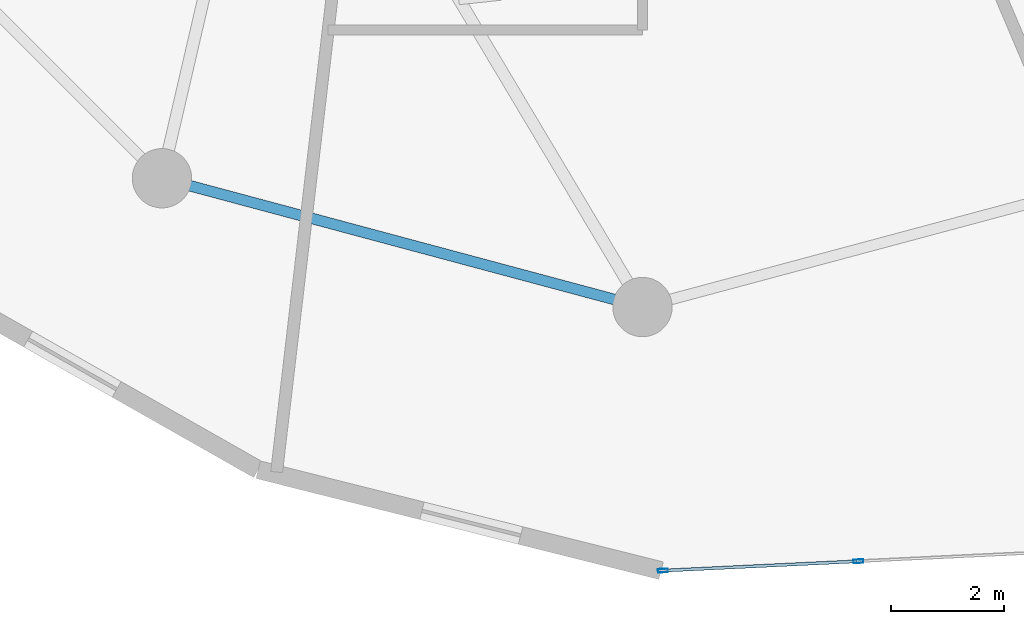
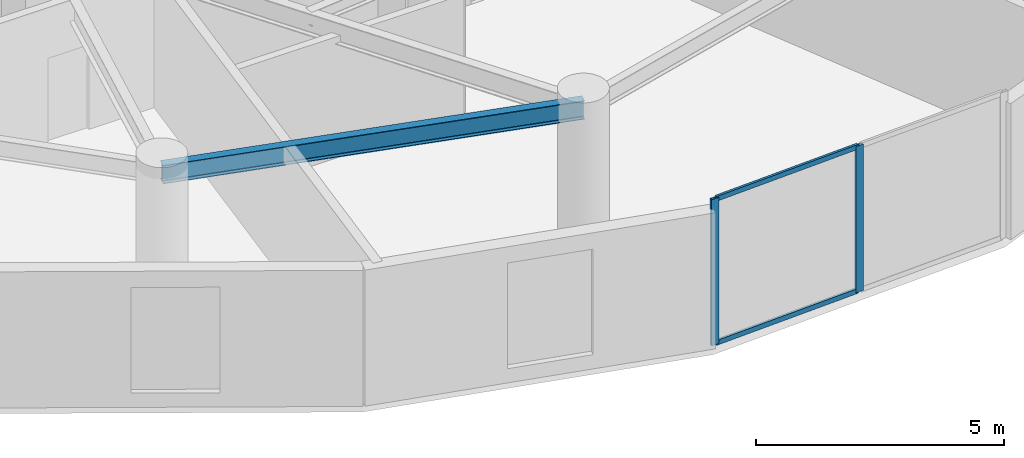
# One storey, part 3 of 25: 4 members, 1 beam, 1 element without a shape of its own.
"""IFC4 building model written with IfcOpenShell, lengths in metres."""

from ifc_helpers import new_model, si_unit, direction, frame, origin, origin_2d, place, context, subcontext, project, spatial, hollow_rectangle, i_section, extrude, source, transform, mapped, material, layer, layer_set, material_profile, profile_set, type_object, element, aggregate, save


model = new_model("IFC4")

# Units and contexts
model_context = context("Model", 3, precision=1e-05, world=origin(), true_north=direction((0.0, 1.0)))
body_context = subcontext(model_context, "Body", "Model", "MODEL_VIEW")
ifc_project = project(units=[si_unit("LENGTHUNIT", "METRE"), si_unit("AREAUNIT", "SQUARE_METRE"), si_unit("VOLUMEUNIT", "CUBIC_METRE"), si_unit("PLANEANGLEUNIT", "RADIAN"), si_unit("MASSUNIT", "GRAM", prefix="KILO")], contexts=[model_context])

# Site, building, storey
site_placement = place(None, origin())
site = spatial("IfcSite", under=ifc_project, at=site_placement, CompositionType="ELEMENT")
building_placement = place(site_placement, origin())
building = spatial("IfcBuilding", under=site, at=building_placement, Name="Solvirekh Grand Hotel", CompositionType="ELEMENT")
storey_placement = place(building_placement, frame((0.0, 0.0, 124.199951171875)))
storey = spatial("IfcBuildingStorey", under=building, at=storey_placement, Name="L31", CompositionType="ELEMENT", Elevation=124.199951171875)

# Beam
ifc_material_1 = material(Name="Steel S355", Category="steel")
ifc_material_profile_1 = material_profile(ifc_material_1, i_section(OverallWidth=0.18994140625, OverallDepth=0.45703125, WebThickness=0.009033203125, FlangeThickness=0.013916015625, FilletRadius=0.012939453125, at=origin_2d()), Name="W460X74")
ifc_profile_set_1 = profile_set([ifc_material_profile_1], Name="Steel S355")
beam_type = type_object("IfcBeamType", Name="Spandrel_Ring_W460", PredefinedType="SPANDREL", material=ifc_profile_set_1)
beam_placement = place(storey_placement, frame((-8.5, -14.721923828125, 3.1220703125), z_axis=(0.965911391906, -0.258872908946, 0.0), x_axis=(0.258872908946, 0.965911391906, 0.0)))
element("IfcBeam", 1, at=beam_placement, inside=storey, type_object=beam_type, Name="L31 perimeter spandrel beam 9", PredefinedType="SPANDREL", context=body_context, shape_type="SweptSolid", body=[
    extrude(i_section(OverallWidth=0.18994140625, OverallDepth=0.45703125, WebThickness=0.009033203125, FlangeThickness=0.013916015625, FilletRadius=0.012939453125, at=origin_2d()), origin(), (0.0, 0.0, 1.0), 8.800048828125),
])

# Curtain wall, members
ifc_material_2 = material(Name="Anodized Bronze Aluminium 6063-T6", Category="aluminium")
ifc_layer = layer(ifc_material_2, 0.175048828125)
ifc_layer_set = layer_set([ifc_layer], Name="Anodized Bronze Aluminium 6063-T6")
curtain_wall_type = type_object("IfcCurtainWallType", Name="CW_Sys3_MidZoneFlushBronzeCW", PredefinedType="NOTDEFINED", material=ifc_layer_set)
curtain_wall_placement = place(storey_placement, origin())
curtain_wall = element("IfcCurtainWall", 2, at=curtain_wall_placement, inside=storey, type_object=curtain_wall_type, Name="L31 unitised bronze-glass curtain wall CW-L31-C18", PredefinedType="NOTDEFINED")
ifc_material_profile_2 = material_profile(ifc_material_2, hollow_rectangle(XDim=0.06494140625, YDim=0.175048828125, WallThickness=0.0048828125, at=origin_2d()), Name="ALU RHS 175X65X5")
ifc_profile_set_2 = profile_set([ifc_material_profile_2], Name="Anodized Bronze Aluminium 6063-T6")
member_type_1 = type_object("IfcMemberType", Name="CWMullion_Sys3", PredefinedType="MULLION", material=ifc_profile_set_2)
shared_shape_1 = source(origin(), body_context, "Body", "SweptSolid", [
    extrude(hollow_rectangle(XDim=0.06494140625, YDim=0.175048828125, WallThickness=0.0048828125, at=origin_2d()), origin(), (0.0, 0.0, 1.0), 3.60009765625),
])
member_1_placement = place(storey_placement, frame((0.361572265625, -21.663330078125, 0.0), z_axis=(0.0, 0.0, 1.0), x_axis=(-0.047932237159, 0.998850589749, 0.0)))
member_1 = element("IfcMember", 3, at=member_1_placement, type_object=member_type_1, Name="U03 mullion 1", PredefinedType="MULLION", context=body_context, shape_type="MappedRepresentation", body=[
    mapped(shared_shape_1, transform((0.0, 0.0, 0.0), x_axis=(1.0, 0.0, 0.0), y_axis=(0.0, 1.0, 0.0), z_axis=(0.0, 0.0, 1.0), scale=1.0)),
])
member_2_placement = place(storey_placement, frame((3.819580078125, -21.49755859375, 0.0), z_axis=(0.0, 0.0, 1.0), x_axis=(-0.047932237159, 0.998850589749, 0.0)))
member_2 = element("IfcMember", 4, at=member_2_placement, type_object=member_type_1, Name="U03 mullion 2", PredefinedType="MULLION", context=body_context, shape_type="MappedRepresentation", body=[
    mapped(shared_shape_1, transform((0.0, 0.0, 0.0), x_axis=(1.0, 0.0, 0.0), y_axis=(0.0, 1.0, 0.0), z_axis=(0.0, 0.0, 1.0), scale=1.0)),
])
ifc_material_profile_3 = material_profile(ifc_material_2, hollow_rectangle(XDim=0.054931640625, YDim=0.1201171875, WallThickness=0.00390625, at=origin_2d()), Name="ALU RHS 120X55X4")
ifc_profile_set_3 = profile_set([ifc_material_profile_3], Name="Anodized Bronze Aluminium 6063-T6")
member_type_2 = type_object("IfcMemberType", Name="CWTransom_Sys3", PredefinedType="USERDEFINED", material=ifc_profile_set_3)
shared_shape_2 = source(origin(), body_context, "Body", "SweptSolid", [
    extrude(hollow_rectangle(XDim=0.054931640625, YDim=0.1201171875, WallThickness=0.00390625, at=origin_2d()), origin(), (0.0, 0.0, 1.0), 3.39697265625),
])
member_3_placement = place(storey_placement, frame((0.39404296875, -21.661865234375, 0.027587890625), z_axis=(0.998850344765, 0.047937342061, 0.0), x_axis=(-0.047937342061, 0.998850344765, 0.0)))
member_3 = element("IfcMember", 5, at=member_3_placement, type_object=member_type_2, Name="U03 transom 1.1", ObjectType="TRANSOM", PredefinedType="USERDEFINED", context=body_context, shape_type="MappedRepresentation", body=[
    mapped(shared_shape_2, transform((0.0, 0.0, 0.0), x_axis=(1.0, 0.0, 0.0), y_axis=(0.0, 1.0, 0.0), z_axis=(0.0, 0.0, 1.0), scale=1.0)),
])
member_4_placement = place(storey_placement, frame((0.39404296875, -21.661865234375, 3.572509765625), z_axis=(0.998850344765, 0.047937342061, 0.0), x_axis=(-0.047937342061, 0.998850344765, 0.0)))
member_4 = element("IfcMember", 6, at=member_4_placement, type_object=member_type_2, Name="U03 transom 1.2", ObjectType="TRANSOM", PredefinedType="USERDEFINED", context=body_context, shape_type="MappedRepresentation", body=[
    mapped(shared_shape_2, transform((0.0, 0.0, 0.0), x_axis=(1.0, 0.0, 0.0), y_axis=(0.0, 1.0, 0.0), z_axis=(0.0, 0.0, 1.0), scale=1.0)),
])
aggregate(curtain_wall, [member_1, member_2, member_3, member_4])

save(model, "model.ifc")
